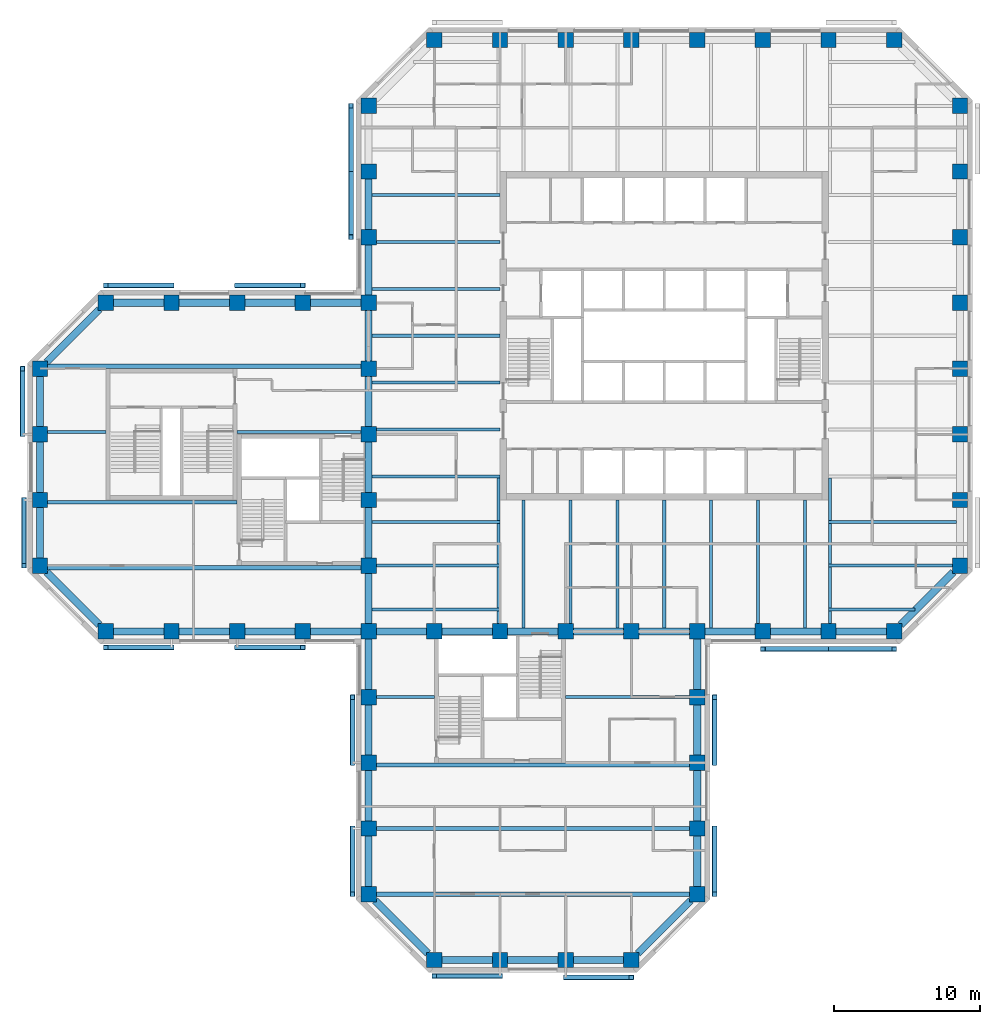
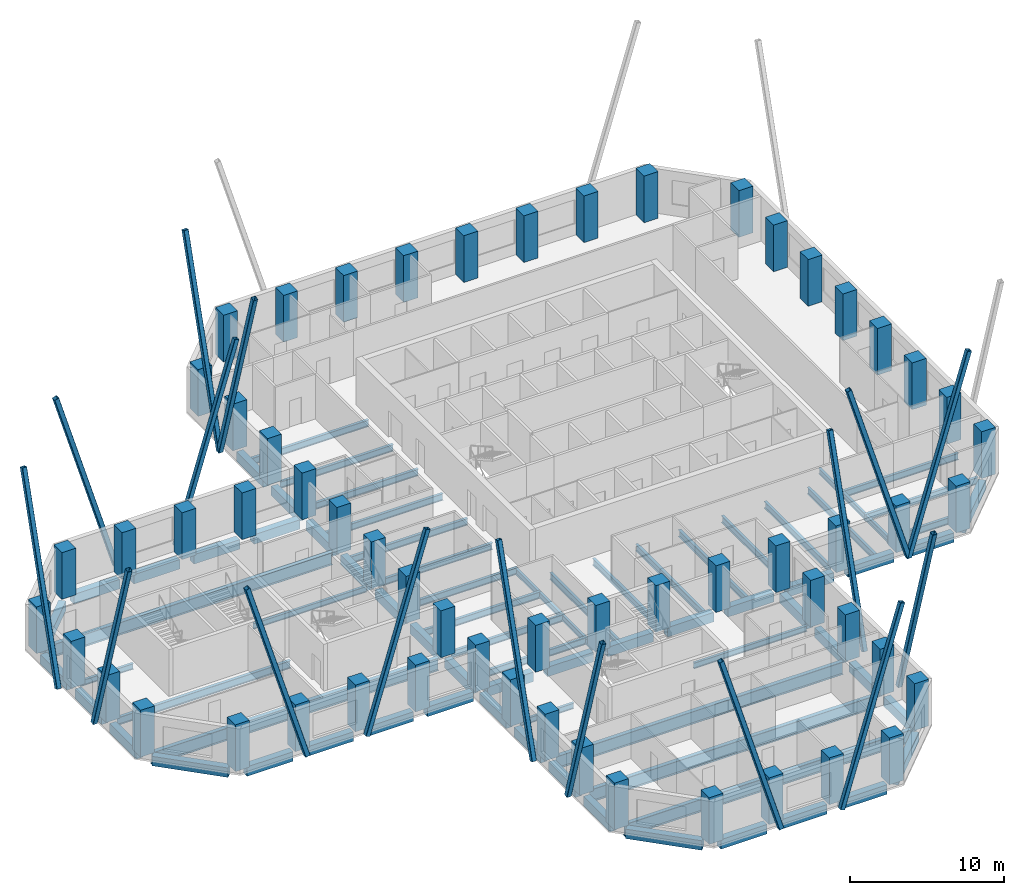
# One storey, part 1 of 11: 74 beams, 57 columns, 16 members.
"""IFC4 building model written with IfcOpenShell, lengths in metres."""

from ifc_helpers import new_model, si_unit, direction, frame, origin, origin_2d, place, context, subcontext, project, spatial, rectangle, hollow_rectangle, i_section, extrude, material, material_profile, profile_set, type_object, element, save


model = new_model("IFC4")

# Units and contexts
model_context = context("Model", 3, precision=1e-05, world=origin(), true_north=direction((0.0, 1.0)))
body_context = subcontext(model_context, "Body", "Model", "MODEL_VIEW")
ifc_project = project(units=[si_unit("LENGTHUNIT", "METRE"), si_unit("AREAUNIT", "SQUARE_METRE"), si_unit("VOLUMEUNIT", "CUBIC_METRE"), si_unit("PLANEANGLEUNIT", "RADIAN"), si_unit("MASSUNIT", "GRAM", prefix="KILO")], contexts=[model_context])

# Site, building, storey
site_placement = place(None, origin())
site = spatial("IfcSite", under=ifc_project, at=site_placement, CompositionType="ELEMENT")
building_placement = place(site_placement, origin())
building = spatial("IfcBuilding", under=site, at=building_placement, Name="Quoin Convention Tower", CompositionType="ELEMENT")
storey_placement = place(building_placement, frame((0.0, 0.0, 82.60009765625)))
storey = spatial("IfcBuildingStorey", under=building, at=storey_placement, Name="L21", CompositionType="ELEMENT", Elevation=82.60009765625)

# Columns
ifc_material_1 = material(Name="Concrete C65", Category="concrete")
ifc_material_profile_1 = material_profile(ifc_material_1, rectangle(XDim=1.050048828125, YDim=1.050048828125, at=origin_2d()), Name="RC 1050x1050")
ifc_profile_set_1 = profile_set([ifc_material_profile_1], Name="Concrete C65")
column_type = type_object("IfcColumnType", Name="RC 1050x1050 C65", PredefinedType="COLUMN", material=ifc_profile_set_1)
for number, where, z_axis, x_axis, name in (
    (1, (40.5, 18.0, 0.0), (0.0, 0.0, 1.0), (1.0, 0.0, 0.0), "col-L21-40500_18000"),
    (2, (45.0, 18.0, 0.0), (0.0, 0.0, 1.0), (1.0, 0.0, 0.0), "col-L21-45000_18000"),
    (3, (49.5, 18.0, 0.0), (0.0, 0.0, 1.0), (1.0, 0.0, 0.0), "col-L21-49500_18000"),
    (4, (54.0, 18.0, 0.0), (0.0, 0.0, 1.0), (1.0, 0.0, 0.0), "col-L21-54000_18000"),
    (5, (36.0, 22.5, 0.0), (0.0, 0.0, 1.0), (1.0, 0.0, 0.0), "col-L21-36000_22500"),
    (6, (58.5, 22.5, 0.0), (0.0, 0.0, 1.0), (1.0, 0.0, 0.0), "col-L21-58500_22500"),
    (7, (36.0, 27.0, 0.0), (0.0, 0.0, 1.0), (1.0, 0.0, 0.0), "col-L21-36000_27000"),
    (8, (58.5, 27.0, 0.0), (0.0, 0.0, 1.0), (1.0, 0.0, 0.0), "col-L21-58500_27000"),
    (9, (36.0, 31.5, 0.0), (0.0, 0.0, 1.0), (1.0, 0.0, 0.0), "col-L21-36000_31500"),
    (10, (58.5, 31.5, 0.0), (0.0, 0.0, 1.0), (1.0, 0.0, 0.0), "col-L21-58500_31500"),
    (11, (36.0, 36.0, 0.0), (0.0, 0.0, 1.0), (1.0, 0.0, 0.0), "col-L21-36000_36000"),
    (12, (58.5, 36.0, 0.0), (0.0, 0.0, 1.0), (1.0, 0.0, 0.0), "col-L21-58500_36000"),
    (13, (18.0, 40.5, 0.0), (0.0, 0.0, 1.0), (1.0, 0.0, 0.0), "col-L21-18000_40500"),
    (14, (22.5, 40.5, 0.0), (0.0, 0.0, 1.0), (1.0, 0.0, 0.0), "col-L21-22500_40500"),
    (15, (27.0, 40.5, 0.0), (0.0, 0.0, 1.0), (1.0, 0.0, 0.0), "col-L21-27000_40500"),
    (16, (31.5, 40.5, 0.0), (0.0, 0.0, 1.0), (1.0, 0.0, 0.0), "col-L21-31500_40500"),
    (17, (36.0, 40.5, 0.0), (0.0, 0.0, 1.0), (1.0, 0.0, 0.0), "col-L21-36000_40500"),
    (18, (40.5, 40.5, 0.0), (0.0, 0.0, 1.0), (1.0, 0.0, 0.0), "web-L21-40500_40500"),
    (19, (45.0, 40.5, 0.0), (0.0, 0.0, 1.0), (1.0, 0.0, 0.0), "web-L21-45000_40500"),
    (20, (49.5, 40.5, 0.0), (0.0, 0.0, 1.0), (1.0, 0.0, 0.0), "web-L21-49500_40500"),
    (21, (54.0, 40.5, 0.0), (0.0, 0.0, 1.0), (1.0, 0.0, 0.0), "web-L21-54000_40500"),
    (22, (58.5, 40.5, 0.0), (0.0, 0.0, 1.0), (1.0, 0.0, 0.0), "col-L21-58500_40500"),
    (23, (63.0, 40.5, 0.0), (0.0, 0.0, 1.0), (1.0, 0.0, 0.0), "col-L21-63000_40500"),
    (24, (67.5, 40.5, 0.0), (0.0, 0.0, 1.0), (1.0, 0.0, 0.0), "col-L21-67500_40500"),
    (25, (72.0, 40.5, 0.0), (0.0, 0.0, 1.0), (1.0, 0.0, 0.0), "col-L21-72000_40500"),
    (26, (13.5, 45.0, 0.0), (0.0, 0.0, 1.0), (1.0, 0.0, 0.0), "col-L21-13500_45000"),
    (27, (36.0, 45.0, 0.0), (0.0, 0.0, 1.0), (1.0, 0.0, 0.0), "web-L21-36000_45000"),
    (28, (76.5, 45.0, 0.0), (0.0, 0.0, 1.0), (1.0, 0.0, 0.0), "col-L21-76500_45000"),
    (29, (13.5, 49.5, 0.0), (0.0, 0.0, 1.0), (1.0, 0.0, 0.0), "col-L21-13500_49500"),
    (30, (36.0, 49.5, 0.0), (0.0, 0.0, 1.0), (1.0, 0.0, 0.0), "web-L21-36000_49500"),
    (31, (76.5, 49.5, 0.0), (0.0, 0.0, 1.0), (1.0, 0.0, 0.0), "col-L21-76500_49500"),
    (32, (13.5, 54.0, 0.0), (0.0, 0.0, 1.0), (1.0, 0.0, 0.0), "col-L21-13500_54000"),
    (33, (36.0, 54.0, 0.0), (0.0, 0.0, 1.0), (1.0, 0.0, 0.0), "web-L21-36000_54000"),
    (34, (76.5, 54.0, 0.0), (0.0, 0.0, 1.0), (1.0, 0.0, 0.0), "col-L21-76500_54000"),
    (35, (13.5, 58.5, 0.0), (0.0, 0.0, 1.0), (1.0, 0.0, 0.0), "col-L21-13500_58500"),
    (36, (36.0, 58.5, 0.0), (0.0, 0.0, 1.0), (1.0, 0.0, 0.0), "web-L21-36000_58500"),
    (37, (76.5, 58.5, 0.0), (0.0, 0.0, 1.0), (1.0, 0.0, 0.0), "col-L21-76500_58500"),
    (38, (18.0, 63.0, 0.0), (0.0, 0.0, 1.0), (1.0, 0.0, 0.0), "col-L21-18000_63000"),
    (39, (22.5, 63.0, 0.0), (0.0, 0.0, 1.0), (1.0, 0.0, 0.0), "col-L21-22500_63000"),
    (40, (27.0, 63.0, 0.0), (0.0, 0.0, 1.0), (1.0, 0.0, 0.0), "col-L21-27000_63000"),
    (41, (31.5, 63.0, 0.0), (0.0, 0.0, 1.0), (1.0, 0.0, 0.0), "col-L21-31500_63000"),
    (42, (36.0, 63.0, 0.0), (0.0, 0.0, 1.0), (1.0, 0.0, 0.0), "col-L21-36000_63000"),
    (43, (76.5, 63.0, 0.0), (0.0, 0.0, 1.0), (1.0, 0.0, 0.0), "col-L21-76500_63000"),
    (44, (36.0, 67.5, 0.0), (0.0, 0.0, 1.0), (1.0, 0.0, 0.0), "col-L21-36000_67500"),
    (45, (76.5, 67.5, 0.0), (0.0, 0.0, 1.0), (1.0, 0.0, 0.0), "col-L21-76500_67500"),
    (46, (36.0, 72.0, 0.0), (0.0, 0.0, 1.0), (1.0, 0.0, 0.0), "col-L21-36000_72000"),
    (47, (76.5, 72.0, 0.0), (0.0, 0.0, 1.0), (1.0, 0.0, 0.0), "col-L21-76500_72000"),
    (48, (36.0, 76.5, 0.0), (0.0, 0.0, 1.0), (1.0, 0.0, 0.0), "col-L21-36000_76500"),
    (49, (76.5, 76.5, 0.0), (0.0, 0.0, 1.0), (1.0, 0.0, 0.0), "col-L21-76500_76500"),
    (50, (40.5, 81.0, 0.0), (0.0, 0.0, 1.0), (1.0, 0.0, 0.0), "col-L21-40500_81000"),
    (51, (45.0, 81.0, 0.0), (0.0, 0.0, 1.0), (1.0, 0.0, 0.0), "col-L21-45000_81000"),
    (52, (49.5, 81.0, 0.0), (0.0, 0.0, 1.0), (1.0, 0.0, 0.0), "col-L21-49500_81000"),
    (53, (54.0, 81.0, 0.0), (0.0, 0.0, 1.0), (1.0, 0.0, 0.0), "col-L21-54000_81000"),
    (54, (58.5, 81.0, 0.0), (0.0, 0.0, 1.0), (1.0, 0.0, 0.0), "col-L21-58500_81000"),
    (55, (63.0, 81.0, 0.0), (0.0, 0.0, 1.0), (1.0, 0.0, 0.0), "col-L21-63000_81000"),
    (56, (67.5, 81.0, 0.0), (0.0, 0.0, 1.0), (1.0, 0.0, 0.0), "col-L21-67500_81000"),
    (57, (72.0, 81.0, 0.0), (0.0, 0.0, 1.0), (1.0, 0.0, 0.0), "col-L21-72000_81000"),
):
    element("IfcColumn", number, at=place(storey_placement, frame(where, z_axis=z_axis, x_axis=x_axis)), inside=storey, type_object=column_type, Name=name, PredefinedType="COLUMN", context=body_context, shape_type="SweptSolid", body=[
        extrude(rectangle(XDim=1.050048828125, YDim=1.050048828125, at=origin_2d()), origin(), (0.0, 0.0, 1.0), 3.699951171875),
    ])

# Beams
ifc_material_2 = material(Name="Steel Grade 300", Category="steel")
ifc_material_profile_2 = material_profile(ifc_material_2, i_section(OverallWidth=0.300048828125, OverallDepth=1.0, WebThickness=0.01611328125, FlangeThickness=0.02001953125, at=origin_2d()), Name="1000WB215")
ifc_profile_set_2 = profile_set([ifc_material_profile_2], Name="Steel Grade 300")
beam_type_1 = type_object("IfcBeamType", Name="1000WB215", PredefinedType="BEAM", material=ifc_profile_set_2)
for number, where, z_axis, x_axis, name in (
    (58, (36.52490234375, 22.5, -0.650146484375), (1.0, 0.0, 0.0), (0.0, 1.0, 0.0), "gir-L21-ST3-1-0"),
    (59, (36.52490234375, 27.0, -0.650146484375), (1.0, 0.0, 0.0), (0.0, 1.0, 0.0), "gir-L21-ST3-2-0"),
    (60, (36.52490234375, 31.35009765625, -0.650146484375), (1.0, 0.0, 0.0), (0.0, 1.0, 0.0), "gir-L21-ST3-3-0"),
    (61, (14.02490234375, 44.85009765625, -0.650146484375), (1.0, 0.0, 0.0), (0.0, 1.0, 0.0), "gir-L21-ST2-1-0"),
    (62, (14.02490234375, 58.64990234375, -0.650146484375), (1.0, 0.0, 0.0), (0.0, 1.0, 0.0), "gir-L21-ST2-4-0"),
):
    element("IfcBeam", number, at=place(storey_placement, frame(where, z_axis=z_axis, x_axis=x_axis)), inside=storey, type_object=beam_type_1, Name=name, PredefinedType="BEAM", context=body_context, shape_type="SweptSolid", body=[
        extrude(i_section(OverallWidth=0.300048828125, OverallDepth=1.0, WebThickness=0.01611328125, FlangeThickness=0.02001953125, at=origin_2d()), origin(), (0.0, 0.0, 1.0), 21.4501953125),
    ])
ifc_material_profile_3 = material_profile(ifc_material_2, i_section(OverallWidth=0.18994140625, OverallDepth=0.4541015625, WebThickness=0.008544921875, FlangeThickness=0.0126953125, FilletRadius=0.011474609375, at=origin_2d()), Name="460UB67.1")
ifc_profile_set_3 = profile_set([ifc_material_profile_3], Name="Steel Grade 300")
beam_type_2 = type_object("IfcBeamType", Name="460UB67.1", PredefinedType="BEAM", material=ifc_profile_set_3)
for number, where, z_axis, x_axis, name in (
    (63, (44.8955078125, 41.02490234375, -0.377197265625), (0.0, 1.0, 0.0), (-1.0, 0.0, 0.0), "gir-L21-T1SW"),
    (64, (67.6044921875, 41.02490234375, -0.377197265625), (0.0, 1.0, 0.0), (-1.0, 0.0, 0.0), "gir-L21-T1SE"),
):
    element("IfcBeam", number, at=place(storey_placement, frame(where, z_axis=z_axis, x_axis=x_axis)), inside=storey, type_object=beam_type_2, Name=name, PredefinedType="BEAM", context=body_context, shape_type="SweptSolid", body=[
        extrude(i_section(OverallWidth=0.18994140625, OverallDepth=0.4541015625, WebThickness=0.008544921875, FlangeThickness=0.0126953125, FilletRadius=0.011474609375, at=origin_2d()), origin(), (0.0, 0.0, 1.0), 9.977783203125),
    ])
beam_1_placement = place(storey_placement, frame((36.52490234375, 36.0, -0.377197265625), z_axis=(1.0, 0.0, 0.0), x_axis=(0.0, 1.0, 0.0)))
element("IfcBeam", 65, at=beam_1_placement, inside=storey, type_object=beam_type_2, Name="gir-L21-ST3-4-0", PredefinedType="BEAM", context=body_context, shape_type="SweptSolid", body=[
    extrude(i_section(OverallWidth=0.18994140625, OverallDepth=0.4541015625, WebThickness=0.008544921875, FlangeThickness=0.0126953125, FilletRadius=0.011474609375, at=origin_2d()), origin(), (0.0, 0.0, 1.0), 3.97509765625),
])
beam_2_placement = place(storey_placement, frame((49.5, 36.0, -0.377197265625), z_axis=(1.0, 0.0, 0.0), x_axis=(0.0, 1.0, 0.0)))
element("IfcBeam", 66, at=beam_2_placement, inside=storey, type_object=beam_type_2, Name="gir-L21-ST3-4-1", PredefinedType="BEAM", context=body_context, shape_type="SweptSolid", body=[
    extrude(i_section(OverallWidth=0.18994140625, OverallDepth=0.4541015625, WebThickness=0.008544921875, FlangeThickness=0.0126953125, FilletRadius=0.011474609375, at=origin_2d()), origin(), (0.0, 0.0, 1.0), 8.47509765625),
])
beam_3_placement = place(storey_placement, frame((14.02490234375, 54.14990234375, -0.377197265625), z_axis=(1.0, 0.0, 0.0), x_axis=(0.0, 1.0, 0.0)))
element("IfcBeam", 67, at=beam_3_placement, inside=storey, type_object=beam_type_2, Name="gir-L21-ST2-3-0", PredefinedType="BEAM", context=body_context, shape_type="SweptSolid", body=[
    extrude(i_section(OverallWidth=0.18994140625, OverallDepth=0.4541015625, WebThickness=0.008544921875, FlangeThickness=0.0126953125, FilletRadius=0.011474609375, at=origin_2d()), origin(), (0.0, 0.0, 1.0), 3.97509765625),
])
beam_4_placement = place(storey_placement, frame((27.0, 54.14990234375, -0.377197265625), z_axis=(1.0, 0.0, 0.0), x_axis=(0.0, 1.0, 0.0)))
element("IfcBeam", 68, at=beam_4_placement, inside=storey, type_object=beam_type_2, Name="gir-L21-ST2-3-1", PredefinedType="BEAM", context=body_context, shape_type="SweptSolid", body=[
    extrude(i_section(OverallWidth=0.18994140625, OverallDepth=0.4541015625, WebThickness=0.008544921875, FlangeThickness=0.0126953125, FilletRadius=0.011474609375, at=origin_2d()), origin(), (0.0, 0.0, 1.0), 8.47509765625),
])
ifc_material_profile_4 = material_profile(ifc_material_2, i_section(OverallWidth=0.208984375, OverallDepth=0.528076171875, WebThickness=0.009521484375, FlangeThickness=0.01318359375, FilletRadius=0.013916015625, at=origin_2d()), Name="530UB82.0")
ifc_profile_set_4 = profile_set([ifc_material_profile_4], Name="Steel Grade 300")
beam_type_3 = type_object("IfcBeamType", Name="530UB82.0", PredefinedType="BEAM", material=ifc_profile_set_4)
beam_5_placement = place(storey_placement, frame((36.25, 51.107177734375, -0.4140625), z_axis=(1.0, 0.0, 0.0), x_axis=(0.0, 1.0, 0.0)))
element("IfcBeam", 69, at=beam_5_placement, inside=storey, type_object=beam_type_3, Name="bm-L21-T1W0", PredefinedType="BEAM", context=body_context, shape_type="SweptSolid", body=[
    extrude(i_section(OverallWidth=0.208984375, OverallDepth=0.528076171875, WebThickness=0.009521484375, FlangeThickness=0.01318359375, FilletRadius=0.013916015625, at=origin_2d()), origin(), (0.0, 0.0, 1.0), 8.75),
])
beam_6_placement = place(storey_placement, frame((36.52490234375, 54.3212890625, -0.4140625), z_axis=(1.0, 0.0, 0.0), x_axis=(0.0, 1.0, 0.0)))
element("IfcBeam", 70, at=beam_6_placement, inside=storey, type_object=beam_type_3, Name="bm-L21-T1W1", PredefinedType="BEAM", context=body_context, shape_type="SweptSolid", body=[
    extrude(i_section(OverallWidth=0.208984375, OverallDepth=0.528076171875, WebThickness=0.009521484375, FlangeThickness=0.01318359375, FilletRadius=0.013916015625, at=origin_2d()), origin(), (0.0, 0.0, 1.0), 8.47509765625),
])
for number, where, z_axis, x_axis, name in (
    (71, (36.25, 57.53564453125, -0.4140625), (1.0, 0.0, 0.0), (0.0, 1.0, 0.0), "bm-L21-T1W2"),
    (72, (36.25, 60.75, -0.4140625), (1.0, 0.0, 0.0), (0.0, 1.0, 0.0), "bm-L21-T1W3"),
    (73, (36.25, 63.96435546875, -0.4140625), (1.0, 0.0, 0.0), (0.0, 1.0, 0.0), "bm-L21-T1W4"),
):
    element("IfcBeam", number, at=place(storey_placement, frame(where, z_axis=z_axis, x_axis=x_axis)), inside=storey, type_object=beam_type_3, Name=name, PredefinedType="BEAM", context=body_context, shape_type="SweptSolid", body=[
        extrude(i_section(OverallWidth=0.208984375, OverallDepth=0.528076171875, WebThickness=0.009521484375, FlangeThickness=0.01318359375, FilletRadius=0.013916015625, at=origin_2d()), origin(), (0.0, 0.0, 1.0), 8.75),
    ])
beam_7_placement = place(storey_placement, frame((36.52490234375, 67.1787109375, -0.4140625), z_axis=(1.0, 0.0, 0.0), x_axis=(0.0, 1.0, 0.0)))
element("IfcBeam", 74, at=beam_7_placement, inside=storey, type_object=beam_type_3, Name="bm-L21-T1W5", PredefinedType="BEAM", context=body_context, shape_type="SweptSolid", body=[
    extrude(i_section(OverallWidth=0.208984375, OverallDepth=0.528076171875, WebThickness=0.009521484375, FlangeThickness=0.01318359375, FilletRadius=0.013916015625, at=origin_2d()), origin(), (0.0, 0.0, 1.0), 8.47509765625),
])
for number, where, z_axis, x_axis, name in (
    (75, (36.25, 70.392822265625, -0.4140625), (1.0, 0.0, 0.0), (0.0, 1.0, 0.0), "bm-L21-T1W6"),
    (76, (46.607177734375, 40.75, -0.4140625), (0.0, 1.0, 0.0), (-1.0, 0.0, 0.0), "bm-L21-T1S0"),
):
    element("IfcBeam", number, at=place(storey_placement, frame(where, z_axis=z_axis, x_axis=x_axis)), inside=storey, type_object=beam_type_3, Name=name, PredefinedType="BEAM", context=body_context, shape_type="SweptSolid", body=[
        extrude(i_section(OverallWidth=0.208984375, OverallDepth=0.528076171875, WebThickness=0.009521484375, FlangeThickness=0.01318359375, FilletRadius=0.013916015625, at=origin_2d()), origin(), (0.0, 0.0, 1.0), 8.75),
    ])
beam_8_placement = place(storey_placement, frame((49.8212890625, 41.02490234375, -0.4140625), z_axis=(0.0, 1.0, 0.0), x_axis=(-1.0, 0.0, 0.0)))
element("IfcBeam", 77, at=beam_8_placement, inside=storey, type_object=beam_type_3, Name="bm-L21-T1S1", PredefinedType="BEAM", context=body_context, shape_type="SweptSolid", body=[
    extrude(i_section(OverallWidth=0.208984375, OverallDepth=0.528076171875, WebThickness=0.009521484375, FlangeThickness=0.01318359375, FilletRadius=0.013916015625, at=origin_2d()), origin(), (0.0, 0.0, 1.0), 8.47509765625),
])
for number, where, z_axis, x_axis, name in (
    (78, (53.03564453125, 40.75, -0.4140625), (0.0, 1.0, 0.0), (-1.0, 0.0, 0.0), "bm-L21-T1S2"),
    (79, (56.25, 40.75, -0.4140625), (0.0, 1.0, 0.0), (-1.0, 0.0, 0.0), "bm-L21-T1S3"),
    (80, (59.46435546875, 40.75, -0.4140625), (0.0, 1.0, 0.0), (-1.0, 0.0, 0.0), "bm-L21-T1S4"),
):
    element("IfcBeam", number, at=place(storey_placement, frame(where, z_axis=z_axis, x_axis=x_axis)), inside=storey, type_object=beam_type_3, Name=name, PredefinedType="BEAM", context=body_context, shape_type="SweptSolid", body=[
        extrude(i_section(OverallWidth=0.208984375, OverallDepth=0.528076171875, WebThickness=0.009521484375, FlangeThickness=0.01318359375, FilletRadius=0.013916015625, at=origin_2d()), origin(), (0.0, 0.0, 1.0), 8.75),
    ])
beam_9_placement = place(storey_placement, frame((62.6787109375, 41.02490234375, -0.4140625), z_axis=(0.0, 1.0, 0.0), x_axis=(-1.0, 0.0, 0.0)))
element("IfcBeam", 81, at=beam_9_placement, inside=storey, type_object=beam_type_3, Name="bm-L21-T1S5", PredefinedType="BEAM", context=body_context, shape_type="SweptSolid", body=[
    extrude(i_section(OverallWidth=0.208984375, OverallDepth=0.528076171875, WebThickness=0.009521484375, FlangeThickness=0.01318359375, FilletRadius=0.013916015625, at=origin_2d()), origin(), (0.0, 0.0, 1.0), 8.47509765625),
])
for number, where, z_axis, x_axis, name in (
    (82, (65.892822265625, 40.75, -0.4140625), (0.0, 1.0, 0.0), (-1.0, 0.0, 0.0), "bm-L21-T1S6"),
    (83, (36.25, 42.0, -0.4140625), (1.0, 0.0, 0.0), (0.0, 1.0, 0.0), "bm-L21-T1SW0"),
):
    element("IfcBeam", number, at=place(storey_placement, frame(where, z_axis=z_axis, x_axis=x_axis)), inside=storey, type_object=beam_type_3, Name=name, PredefinedType="BEAM", context=body_context, shape_type="SweptSolid", body=[
        extrude(i_section(OverallWidth=0.208984375, OverallDepth=0.528076171875, WebThickness=0.009521484375, FlangeThickness=0.01318359375, FilletRadius=0.013916015625, at=origin_2d()), origin(), (0.0, 0.0, 1.0), 8.75),
    ])
beam_10_placement = place(storey_placement, frame((36.52490234375, 45.0, -0.4140625), z_axis=(1.0, 0.0, 0.0), x_axis=(0.0, 1.0, 0.0)))
element("IfcBeam", 84, at=beam_10_placement, inside=storey, type_object=beam_type_3, Name="bm-L21-T1SW1", PredefinedType="BEAM", context=body_context, shape_type="SweptSolid", body=[
    extrude(i_section(OverallWidth=0.208984375, OverallDepth=0.528076171875, WebThickness=0.009521484375, FlangeThickness=0.01318359375, FilletRadius=0.013916015625, at=origin_2d()), origin(), (0.0, 0.0, 1.0), 8.47509765625),
])
beam_11_placement = place(storey_placement, frame((36.25, 48.0, -0.4140625), z_axis=(1.0, 0.0, 0.0), x_axis=(0.0, 1.0, 0.0)))
element("IfcBeam", 85, at=beam_11_placement, inside=storey, type_object=beam_type_3, Name="bm-L21-T1SW2", PredefinedType="BEAM", context=body_context, shape_type="SweptSolid", body=[
    extrude(i_section(OverallWidth=0.208984375, OverallDepth=0.528076171875, WebThickness=0.009521484375, FlangeThickness=0.01318359375, FilletRadius=0.013916015625, at=origin_2d()), origin(), (0.0, 0.0, 1.0), 8.75),
])
beam_12_placement = place(storey_placement, frame((67.5, 42.0, -0.4140625), z_axis=(1.0, 0.0, 0.0), x_axis=(0.0, 1.0, 0.0)))
element("IfcBeam", 86, at=beam_12_placement, inside=storey, type_object=beam_type_3, Name="bm-L21-T1SE0", PredefinedType="BEAM", context=body_context, shape_type="SweptSolid", body=[
    extrude(i_section(OverallWidth=0.208984375, OverallDepth=0.528076171875, WebThickness=0.009521484375, FlangeThickness=0.01318359375, FilletRadius=0.013916015625, at=origin_2d()), origin(), (0.0, 0.0, 1.0), 5.927734375),
])
beam_13_placement = place(storey_placement, frame((67.5, 45.0, -0.4140625), z_axis=(1.0, 0.0, 0.0), x_axis=(0.0, 1.0, 0.0)))
element("IfcBeam", 87, at=beam_13_placement, inside=storey, type_object=beam_type_3, Name="bm-L21-T1SE1", PredefinedType="BEAM", context=body_context, shape_type="SweptSolid", body=[
    extrude(i_section(OverallWidth=0.208984375, OverallDepth=0.528076171875, WebThickness=0.009521484375, FlangeThickness=0.01318359375, FilletRadius=0.013916015625, at=origin_2d()), origin(), (0.0, 0.0, 1.0), 8.47509765625),
])
beam_14_placement = place(storey_placement, frame((67.5, 48.0, -0.4140625), z_axis=(1.0, 0.0, 0.0), x_axis=(0.0, 1.0, 0.0)))
element("IfcBeam", 88, at=beam_14_placement, inside=storey, type_object=beam_type_3, Name="bm-L21-T1SE2", PredefinedType="BEAM", context=body_context, shape_type="SweptSolid", body=[
    extrude(i_section(OverallWidth=0.208984375, OverallDepth=0.528076171875, WebThickness=0.009521484375, FlangeThickness=0.01318359375, FilletRadius=0.013916015625, at=origin_2d()), origin(), (0.0, 0.0, 1.0), 8.75),
])
ifc_material_profile_5 = material_profile(ifc_material_2, i_section(OverallWidth=0.22802734375, OverallDepth=0.60205078125, WebThickness=0.010498046875, FlangeThickness=0.014892578125, FilletRadius=0.013916015625, at=origin_2d()), Name="610UB101")
ifc_profile_set_5 = profile_set([ifc_material_profile_5], Name="Steel Grade 300")
beam_type_4 = type_object("IfcBeamType", Name="610UB101", PredefinedType="BEAM", material=ifc_profile_set_5)
beam_15_placement = place(storey_placement, frame((14.02490234375, 49.35009765625, -0.451171875), z_axis=(1.0, 0.0, 0.0), x_axis=(0.0, 1.0, 0.0)))
element("IfcBeam", 89, at=beam_15_placement, inside=storey, type_object=beam_type_4, Name="gir-L21-ST2-2-0", PredefinedType="BEAM", context=body_context, shape_type="SweptSolid", body=[
    extrude(i_section(OverallWidth=0.22802734375, OverallDepth=0.60205078125, WebThickness=0.010498046875, FlangeThickness=0.014892578125, FilletRadius=0.013916015625, at=origin_2d()), origin(), (0.0, 0.0, 1.0), 12.97509765625),
])

# Members
ifc_material_3 = material(Name="Steel C450L0", Category="steel")
ifc_material_profile_6 = material_profile(ifc_material_3, hollow_rectangle(XDim=0.35009765625, YDim=0.35009765625, WallThickness=0.01611328125, InnerFilletRadius=0.02392578125, OuterFilletRadius=0.0400390625, at=origin_2d()), Name="350x350x16.0SHS")
ifc_profile_set_6 = profile_set([ifc_material_profile_6], Name="Steel C450L0")
member_type = type_object("IfcMemberType", Name="Exposed brace 350x350x16.0SHS", PredefinedType="BRACE", material=ifc_profile_set_6)
for number, where, z_axis, x_axis, name in (
    (90, (12.300048828125, 54.0, -0.0751953125), (0.0, 0.290903487189, 0.956752403259), (-1.0, 0.0, 0.0), "brc-L21-13500_58500-13500_54000"),
    (91, (12.39990234375, 49.5, -0.0751953125), (0.0, -0.290903487189, 0.956752403259), (1.0, 0.0, 0.0), "brc-L21-13500_49500-13500_45000"),
    (92, (22.5, 39.39990234375, -0.0751953125), (-0.290903487189, 0.0, 0.956752403259), (0.0, -1.0, 0.0), "brc-L21-18000_40500-22500_40500"),
    (93, (27.0, 39.39990234375, -0.0751953125), (0.290903487189, 0.0, 0.956752403259), (0.0, 1.0, 0.0), "brc-L21-27000_40500-31500_40500"),
    (94, (34.89990234375, 31.5, -0.0751953125), (0.0, 0.290903487189, 0.956752403259), (-1.0, 0.0, 0.0), "brc-L21-36000_36000-36000_31500"),
    (95, (34.89990234375, 27.0, -0.0751953125), (0.0, -0.290903487189, 0.956752403259), (1.0, 0.0, 0.0), "brc-L21-36000_27000-36000_22500"),
    (96, (27.0, 64.199951171875, -0.0751953125), (0.290903487189, 0.0, 0.956752403259), (0.0, 1.0, 0.0), "brc-L21-31500_63000-27000_63000"),
    (97, (22.5, 64.199951171875, -0.0751953125), (-0.290903487189, 0.0, 0.956752403259), (0.0, -1.0, 0.0), "brc-L21-22500_63000-18000_63000"),
    (98, (34.800048828125, 72.0, -0.0751953125), (0.0, 0.290903487189, 0.956752403259), (-1.0, 0.0, 0.0), "brc-L21-36000_76500-36000_72000"),
    (99, (34.800048828125, 72.0, -0.0751953125), (0.0, -0.290903487189, 0.956752403259), (1.0, 0.0, 0.0), "brc-L21-36000_72000-36000_67500"),
    (100, (45.0, 16.89990234375, -0.0751953125), (-0.290903487189, 0.0, 0.956752403259), (0.0, -1.0, 0.0), "brc-L21-40500_18000-45000_18000"),
    (101, (49.5, 16.800048828125, -0.0751953125), (0.290903487189, 0.0, 0.956752403259), (0.0, 1.0, 0.0), "brc-L21-49500_18000-54000_18000"),
    (102, (59.699951171875, 27.0, -0.0751953125), (0.0, -0.290903487189, 0.956752403259), (1.0, 0.0, 0.0), "brc-L21-58500_22500-58500_27000"),
    (103, (59.699951171875, 31.5, -0.0751953125), (0.0, 0.290903487189, 0.956752403259), (-1.0, 0.0, 0.0), "brc-L21-58500_31500-58500_36000"),
    (104, (67.5, 39.300048828125, -0.0751953125), (-0.290903487189, 0.0, 0.956752403259), (0.0, -1.0, 0.0), "brc-L21-63000_40500-67500_40500"),
    (105, (67.5, 39.300048828125, -0.0751953125), (0.290903487189, 0.0, 0.956752403259), (0.0, 1.0, 0.0), "brc-L21-67500_40500-72000_40500"),
):
    element("IfcMember", number, at=place(storey_placement, frame(where, z_axis=z_axis, x_axis=x_axis)), inside=storey, type_object=member_type, Name=name, PredefinedType="BRACE", context=body_context, shape_type="SweptSolid", body=[
        extrude(hollow_rectangle(XDim=0.35009765625, YDim=0.35009765625, WallThickness=0.01611328125, InnerFilletRadius=0.02392578125, OuterFilletRadius=0.0400390625, at=origin_2d()), origin(), (0.0, 0.0, 1.0), 15.468994140625),
    ])

# Beams
ifc_material_profile_7 = material_profile(ifc_material_1, rectangle(XDim=0.5, YDim=0.75, at=origin_2d()), Name="RC 500x750")
ifc_profile_set_7 = profile_set([ifc_material_profile_7], Name="Concrete C65")
beam_type_5 = type_object("IfcBeamType", Name="RC 500x750 C65", PredefinedType="SPANDREL", material=ifc_profile_set_7)
for number, where, z_axis, x_axis, name in (
    (106, (59.02490234375, 40.5, -0.525146484375), (1.0, 0.0, 0.0), (0.0, 1.0, 0.0), "spd-L21-58500_40500-63000_40500"),
    (107, (63.52490234375, 40.5, -0.525146484375), (1.0, 0.0, 0.0), (0.0, 1.0, 0.0), "spd-L21-63000_40500-67500_40500"),
    (108, (68.02490234375, 40.5, -0.525146484375), (1.0, 0.0, 0.0), (0.0, 1.0, 0.0), "spd-L21-67500_40500-72000_40500"),
):
    element("IfcBeam", number, at=place(storey_placement, frame(where, z_axis=z_axis, x_axis=x_axis)), inside=storey, type_object=beam_type_5, Name=name, PredefinedType="SPANDREL", context=body_context, shape_type="SweptSolid", body=[
        extrude(rectangle(XDim=0.5, YDim=0.75, at=origin_2d()), origin(), (0.0, 0.0, 1.0), 3.4501953125),
    ])
beam_16_placement = place(storey_placement, frame((72.440185546875, 40.940185546875, -0.525146484375), z_axis=(0.707106781187, 0.707106781187, 0.0), x_axis=(-0.707106781187, 0.707106781187, 0.0)))
element("IfcBeam", 109, at=beam_16_placement, inside=storey, type_object=beam_type_5, Name="spd-L21-72000_40500-76500_45000", PredefinedType="SPANDREL", context=body_context, shape_type="SweptSolid", body=[
    extrude(rectangle(XDim=0.5, YDim=0.75, at=origin_2d()), origin(), (0.0, 0.0, 1.0), 5.118896484375),
])
for number, where, z_axis, x_axis, name in (
    (110, (36.0, 71.47509765625, -0.525146484375), (0.0, -1.0, 0.0), (1.0, 0.0, 0.0), "spd-L21-36000_72000-36000_67500"),
    (111, (36.0, 66.97509765625, -0.525146484375), (0.0, -1.0, 0.0), (1.0, 0.0, 0.0), "spd-L21-36000_67500-36000_63000"),
    (112, (35.47509765625, 63.0, -0.525146484375), (-1.0, 0.0, 0.0), (0.0, -1.0, 0.0), "spd-L21-36000_63000-31500_63000"),
    (113, (30.97509765625, 63.0, -0.525146484375), (-1.0, 0.0, 0.0), (0.0, -1.0, 0.0), "spd-L21-31500_63000-27000_63000"),
    (114, (26.47509765625, 63.0, -0.525146484375), (-1.0, 0.0, 0.0), (0.0, -1.0, 0.0), "spd-L21-27000_63000-22500_63000"),
    (115, (21.97509765625, 63.0, -0.525146484375), (-1.0, 0.0, 0.0), (0.0, -1.0, 0.0), "spd-L21-22500_63000-18000_63000"),
):
    element("IfcBeam", number, at=place(storey_placement, frame(where, z_axis=z_axis, x_axis=x_axis)), inside=storey, type_object=beam_type_5, Name=name, PredefinedType="SPANDREL", context=body_context, shape_type="SweptSolid", body=[
        extrude(rectangle(XDim=0.5, YDim=0.75, at=origin_2d()), origin(), (0.0, 0.0, 1.0), 3.4501953125),
    ])
beam_17_placement = place(storey_placement, frame((17.559814453125, 62.559814453125, -0.525146484375), z_axis=(-0.707106781187, -0.707106781187, 0.0), x_axis=(0.707106781187, -0.707106781187, 0.0)))
element("IfcBeam", 116, at=beam_17_placement, inside=storey, type_object=beam_type_5, Name="spd-L21-18000_63000-13500_58500", PredefinedType="SPANDREL", context=body_context, shape_type="SweptSolid", body=[
    extrude(rectangle(XDim=0.5, YDim=0.75, at=origin_2d()), origin(), (0.0, 0.0, 1.0), 5.118896484375),
])
for number, where, z_axis, x_axis, name in (
    (117, (13.5, 57.97509765625, -0.525146484375), (0.0, -1.0, 0.0), (1.0, 0.0, 0.0), "spd-L21-13500_58500-13500_54000"),
    (118, (13.5, 53.47509765625, -0.525146484375), (0.0, -1.0, 0.0), (1.0, 0.0, 0.0), "spd-L21-13500_54000-13500_49500"),
    (119, (13.5, 48.97509765625, -0.525146484375), (0.0, -1.0, 0.0), (1.0, 0.0, 0.0), "spd-L21-13500_49500-13500_45000"),
):
    element("IfcBeam", number, at=place(storey_placement, frame(where, z_axis=z_axis, x_axis=x_axis)), inside=storey, type_object=beam_type_5, Name=name, PredefinedType="SPANDREL", context=body_context, shape_type="SweptSolid", body=[
        extrude(rectangle(XDim=0.5, YDim=0.75, at=origin_2d()), origin(), (0.0, 0.0, 1.0), 3.4501953125),
    ])
beam_18_placement = place(storey_placement, frame((13.940185546875, 44.559814453125, -0.525146484375), z_axis=(0.707106781187, -0.707106781187, 0.0), x_axis=(0.707106781187, 0.707106781187, 0.0)))
element("IfcBeam", 120, at=beam_18_placement, inside=storey, type_object=beam_type_5, Name="spd-L21-13500_45000-18000_40500", PredefinedType="SPANDREL", context=body_context, shape_type="SweptSolid", body=[
    extrude(rectangle(XDim=0.5, YDim=0.75, at=origin_2d()), origin(), (0.0, 0.0, 1.0), 5.118896484375),
])
for number, where, z_axis, x_axis, name in (
    (121, (18.52490234375, 40.5, -0.525146484375), (1.0, 0.0, 0.0), (0.0, 1.0, 0.0), "spd-L21-18000_40500-22500_40500"),
    (122, (23.02490234375, 40.5, -0.525146484375), (1.0, 0.0, 0.0), (0.0, 1.0, 0.0), "spd-L21-22500_40500-27000_40500"),
    (123, (27.52490234375, 40.5, -0.525146484375), (1.0, 0.0, 0.0), (0.0, 1.0, 0.0), "spd-L21-27000_40500-31500_40500"),
    (124, (32.02490234375, 40.5, -0.525146484375), (1.0, 0.0, 0.0), (0.0, 1.0, 0.0), "spd-L21-31500_40500-36000_40500"),
    (125, (36.0, 39.97509765625, -0.525146484375), (0.0, -1.0, 0.0), (1.0, 0.0, 0.0), "spd-L21-36000_40500-36000_36000"),
    (126, (36.0, 35.47509765625, -0.525146484375), (0.0, -1.0, 0.0), (1.0, 0.0, 0.0), "spd-L21-36000_36000-36000_31500"),
    (127, (36.0, 30.97509765625, -0.525146484375), (0.0, -1.0, 0.0), (1.0, 0.0, 0.0), "spd-L21-36000_31500-36000_27000"),
    (128, (36.0, 26.47509765625, -0.525146484375), (0.0, -1.0, 0.0), (1.0, 0.0, 0.0), "spd-L21-36000_27000-36000_22500"),
):
    element("IfcBeam", number, at=place(storey_placement, frame(where, z_axis=z_axis, x_axis=x_axis)), inside=storey, type_object=beam_type_5, Name=name, PredefinedType="SPANDREL", context=body_context, shape_type="SweptSolid", body=[
        extrude(rectangle(XDim=0.5, YDim=0.75, at=origin_2d()), origin(), (0.0, 0.0, 1.0), 3.4501953125),
    ])
beam_19_placement = place(storey_placement, frame((36.440185546875, 22.059814453125, -0.525146484375), z_axis=(0.707106781187, -0.707106781187, 0.0), x_axis=(0.707106781187, 0.707106781187, 0.0)))
element("IfcBeam", 129, at=beam_19_placement, inside=storey, type_object=beam_type_5, Name="spd-L21-36000_22500-40500_18000", PredefinedType="SPANDREL", context=body_context, shape_type="SweptSolid", body=[
    extrude(rectangle(XDim=0.5, YDim=0.75, at=origin_2d()), origin(), (0.0, 0.0, 1.0), 5.118896484375),
])
for number, where, z_axis, x_axis, name in (
    (130, (41.02490234375, 18.0, -0.525146484375), (1.0, 0.0, 0.0), (0.0, 1.0, 0.0), "spd-L21-40500_18000-45000_18000"),
    (131, (45.52490234375, 18.0, -0.525146484375), (1.0, 0.0, 0.0), (0.0, 1.0, 0.0), "spd-L21-45000_18000-49500_18000"),
    (132, (50.02490234375, 18.0, -0.525146484375), (1.0, 0.0, 0.0), (0.0, 1.0, 0.0), "spd-L21-49500_18000-54000_18000"),
):
    element("IfcBeam", number, at=place(storey_placement, frame(where, z_axis=z_axis, x_axis=x_axis)), inside=storey, type_object=beam_type_5, Name=name, PredefinedType="SPANDREL", context=body_context, shape_type="SweptSolid", body=[
        extrude(rectangle(XDim=0.5, YDim=0.75, at=origin_2d()), origin(), (0.0, 0.0, 1.0), 3.4501953125),
    ])
beam_20_placement = place(storey_placement, frame((54.440185546875, 18.440185546875, -0.525146484375), z_axis=(0.707106781187, 0.707106781187, 0.0), x_axis=(-0.707106781187, 0.707106781187, 0.0)))
element("IfcBeam", 133, at=beam_20_placement, inside=storey, type_object=beam_type_5, Name="spd-L21-54000_18000-58500_22500", PredefinedType="SPANDREL", context=body_context, shape_type="SweptSolid", body=[
    extrude(rectangle(XDim=0.5, YDim=0.75, at=origin_2d()), origin(), (0.0, 0.0, 1.0), 5.118896484375),
])
for number, where, z_axis, x_axis, name in (
    (134, (58.5, 23.02490234375, -0.525146484375), (0.0, 1.0, 0.0), (-1.0, 0.0, 0.0), "spd-L21-58500_22500-58500_27000"),
    (135, (58.5, 27.52490234375, -0.525146484375), (0.0, 1.0, 0.0), (-1.0, 0.0, 0.0), "spd-L21-58500_27000-58500_31500"),
    (136, (58.5, 32.02490234375, -0.525146484375), (0.0, 1.0, 0.0), (-1.0, 0.0, 0.0), "spd-L21-58500_31500-58500_36000"),
    (137, (58.5, 36.52490234375, -0.525146484375), (0.0, 1.0, 0.0), (-1.0, 0.0, 0.0), "spd-L21-58500_36000-58500_40500"),
    (138, (36.52490234375, 40.5, -0.525146484375), (1.0, 0.0, 0.0), (0.0, 1.0, 0.0), "spd-L21-36000_40500-40500_40500"),
    (139, (41.02490234375, 40.5, -0.525146484375), (1.0, 0.0, 0.0), (0.0, 1.0, 0.0), "spd-L21-40500_40500-45000_40500"),
    (140, (45.52490234375, 40.5, -0.525146484375), (1.0, 0.0, 0.0), (0.0, 1.0, 0.0), "spd-L21-45000_40500-49500_40500"),
    (141, (50.02490234375, 40.5, -0.525146484375), (1.0, 0.0, 0.0), (0.0, 1.0, 0.0), "spd-L21-49500_40500-54000_40500"),
    (142, (54.52490234375, 40.5, -0.525146484375), (1.0, 0.0, 0.0), (0.0, 1.0, 0.0), "spd-L21-54000_40500-58500_40500"),
    (143, (36.0, 41.02490234375, -0.525146484375), (0.0, 1.0, 0.0), (-1.0, 0.0, 0.0), "spd-L21-36000_40500-36000_45000"),
    (144, (36.0, 45.52490234375, -0.525146484375), (0.0, 1.0, 0.0), (-1.0, 0.0, 0.0), "spd-L21-36000_45000-36000_49500"),
    (145, (36.0, 50.02490234375, -0.525146484375), (0.0, 1.0, 0.0), (-1.0, 0.0, 0.0), "spd-L21-36000_49500-36000_54000"),
    (146, (36.0, 54.52490234375, -0.525146484375), (0.0, 1.0, 0.0), (-1.0, 0.0, 0.0), "spd-L21-36000_54000-36000_58500"),
    (147, (36.0, 59.02490234375, -0.525146484375), (0.0, 1.0, 0.0), (-1.0, 0.0, 0.0), "spd-L21-36000_58500-36000_63000"),
):
    element("IfcBeam", number, at=place(storey_placement, frame(where, z_axis=z_axis, x_axis=x_axis)), inside=storey, type_object=beam_type_5, Name=name, PredefinedType="SPANDREL", context=body_context, shape_type="SweptSolid", body=[
        extrude(rectangle(XDim=0.5, YDim=0.75, at=origin_2d()), origin(), (0.0, 0.0, 1.0), 3.4501953125),
    ])

save(model, "model.ifc")
